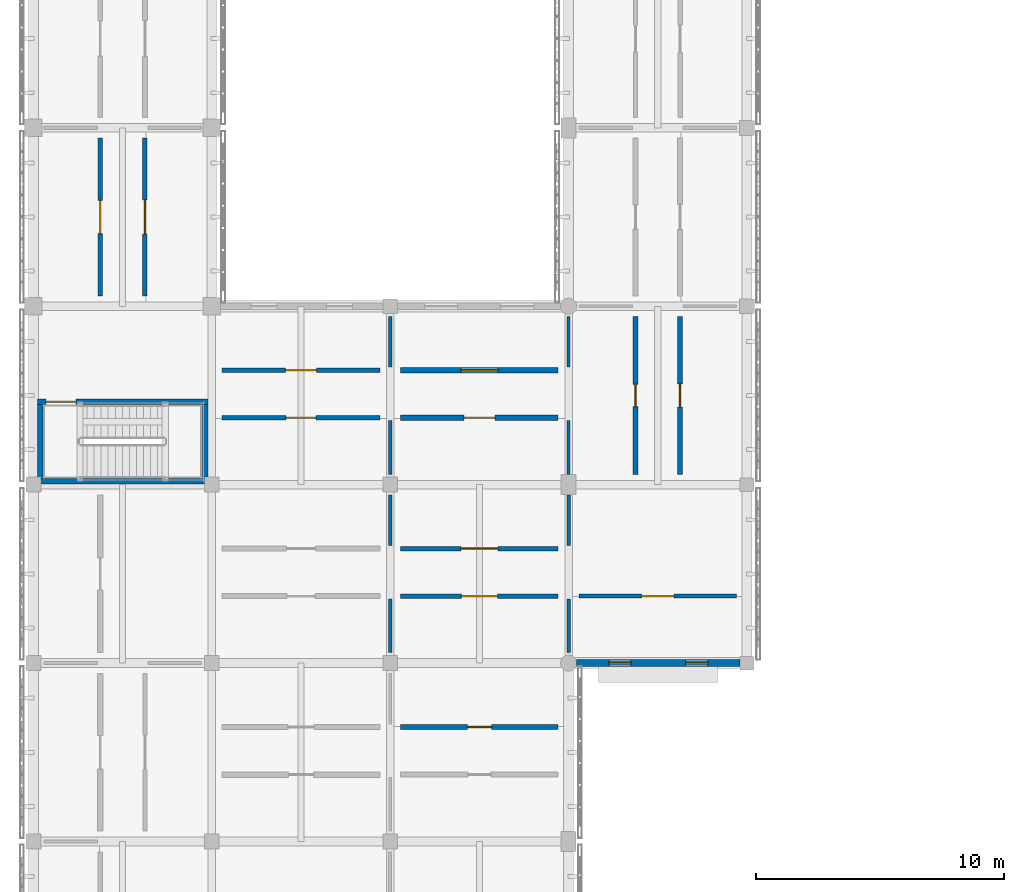
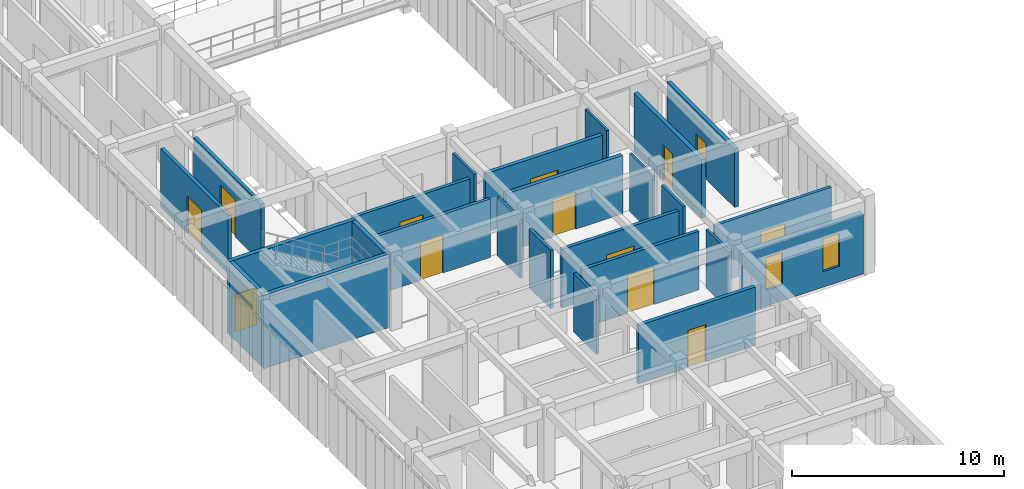
# One storey, part 122 of 171: 25 walls, 13 doors, 2 windows, 15 openings.
"""IFC4 building model written with IfcOpenShell, lengths in metres."""

from ifc_helpers import new_model, si_unit, direction, frame, frame_2d, origin, place, context, subcontext, project, spatial, rectangle, extrude, material, layer, layer_set, type_object, element, fill, save


model = new_model("IFC4")

# Units and contexts
model_context = context("Model", 3, precision=1e-05, world=origin(), true_north=direction((0.0, 1.0)))
body_context = subcontext(model_context, "Body", "Model", "MODEL_VIEW")
ifc_project = project(units=[si_unit("LENGTHUNIT", "METRE"), si_unit("AREAUNIT", "SQUARE_METRE"), si_unit("VOLUMEUNIT", "CUBIC_METRE"), si_unit("PLANEANGLEUNIT", "RADIAN"), si_unit("MASSUNIT", "GRAM", prefix="KILO")], contexts=[model_context])

# Site, building, storey
site_placement = place(None, origin())
site = spatial("IfcSite", under=ifc_project, at=site_placement, CompositionType="ELEMENT")
building_placement = place(site_placement, origin())
building = spatial("IfcBuilding", under=site, at=building_placement, Name="Aldebral Square Health Centre", CompositionType="ELEMENT")
storey_placement = place(building_placement, frame((0.0, 0.0, 4.5)))
storey = spatial("IfcBuildingStorey", under=building, at=storey_placement, Name="L01", CompositionType="ELEMENT", Elevation=4.5)

# Wall, openings, windows
ifc_material_1 = material(Name="Ochre mineral-rendered concrete C35/45 court wall", Category="concrete")
ifc_layer_1 = layer(ifc_material_1, 0.280029296875, Name="Ochre mineral-rendered concrete C35/45 court wall", Category="concrete")
ifc_layer_set_1 = layer_set([ifc_layer_1], Name="Ochre mineral-rendered concrete C35/45 court wall")
wall_type_1 = type_object("IfcWallType", Name="EW-OCH-280", PredefinedType="STANDARD", material=ifc_layer_set_1)
wall_1_placement = place(storey_placement, frame((21.925048828125, 50.39990234375, 0.0), z_axis=(0.0, 0.0, 1.0), x_axis=(1.0, 0.0, 0.0)))
wall_1 = element("IfcWall", 1, at=wall_1_placement, inside=storey, type_object=wall_type_1, Name="L01 V4 exterior wall L01-V4-03-07-S", PredefinedType="STANDARD", context=body_context, shape_type="SweptSolid", body=[
    extrude(rectangle(XDim=6.599853515625, YDim=0.280029296875, at=frame_2d((3.2998046875, 0.0))), origin(), (0.0, 0.0, 1.0), 3.469970703125),
])
opening_1_placement = place(wall_1_placement, frame((1.300048828125, 0.0, 0.89990234375)))
opening_1 = element("IfcOpeningElement", 2, at=opening_1_placement, cuts=wall_1, Name="Opening W46", PredefinedType="OPENING", context=body_context, shape_type="SweptSolid", body=[
    extrude(rectangle(XDim=0.89990234375, YDim=1.8798828125, at=frame_2d((0.449951171875, 0.93994140625))), frame((0.0, 0.14990234375, 0.0), z_axis=(0.0, -1.0, 0.0), x_axis=(1.0, 0.0, 0.0)), (0.0, 0.0, 1.0), 0.300048828125),
])
opening_2_placement = place(wall_1_placement, frame((4.39990234375, 0.0, 0.89990234375)))
opening_2 = element("IfcOpeningElement", 3, at=opening_2_placement, cuts=wall_1, Name="Opening W46", PredefinedType="OPENING", context=body_context, shape_type="SweptSolid", body=[
    extrude(rectangle(XDim=0.89990234375, YDim=1.8798828125, at=frame_2d((0.449951171875, 0.93994140625))), frame((0.0, 0.14990234375, 0.0), z_axis=(0.0, -1.0, 0.0), x_axis=(1.0, 0.0, 0.0)), (0.0, 0.0, 1.0), 0.300048828125),
])
ifc_material_2 = material(Name="Thermally broken aluminium and low-E glass", Category="aluminium")
window_type = type_object("IfcWindowType", Name="WIN-W46", PartitioningType="SINGLE_PANEL", PredefinedType="WINDOW", material=ifc_material_2)
window_1_placement = place(opening_1_placement, origin())
window_1 = element("IfcWindow", 4, at=window_1_placement, inside=storey, type_object=window_type, Name="L01 clinical window L01-V4-03-07-S.1", OverallHeight=1.8798828125, OverallWidth=0.89990234375, PartitioningType="SINGLE_PANEL", PredefinedType="WINDOW", context=body_context, shape_type="SweptSolid", body=[
    extrude(rectangle(XDim=0.89990234375, YDim=1.8798828125, at=frame_2d((0.449951171875, 0.93994140625))), frame((0.0, 0.030029296875, 0.0), z_axis=(0.0, -1.0, 0.0), x_axis=(1.0, 0.0, 0.0)), (0.0, 0.0, 1.0), 0.06005859375),
])
fill(opening_1, window_1)
window_2_placement = place(opening_2_placement, origin())
window_2 = element("IfcWindow", 5, at=window_2_placement, inside=storey, type_object=window_type, Name="L01 clinical window L01-V4-03-07-S.2", OverallHeight=1.8798828125, OverallWidth=0.89990234375, PartitioningType="SINGLE_PANEL", PredefinedType="WINDOW", context=body_context, shape_type="SweptSolid", body=[
    extrude(rectangle(XDim=0.89990234375, YDim=1.8798828125, at=frame_2d((0.449951171875, 0.93994140625))), frame((0.0, 0.030029296875, 0.0), z_axis=(0.0, -1.0, 0.0), x_axis=(1.0, 0.0, 0.0)), (0.0, 0.0, 1.0), 0.06005859375),
])
fill(opening_2, window_2)

# Wall, opening, door
ifc_material_3 = material(Name="Concrete C35/45 compartment wall", Category="concrete")
ifc_layer_2 = layer(ifc_material_3, 0.199951171875, Name="Concrete C35/45 compartment wall", Category="concrete")
ifc_layer_set_2 = layer_set([ifc_layer_2], Name="Concrete C35/45 compartment wall")
wall_type_2 = type_object("IfcWallType", Name="IW-CMP-200", PredefinedType="SOLIDWALL", material=ifc_layer_set_2)
wall_2_placement = place(storey_placement, frame((14.820068359375, 47.820068359375, 0.0), z_axis=(0.0, 0.0, 1.0), x_axis=(1.0, 0.0, 0.0)))
wall_2 = element("IfcWall", 6, at=wall_2_placement, inside=storey, type_object=wall_type_2, Name="L01 Nutrition Studio 3.7N corridor wall", PredefinedType="SOLIDWALL", context=body_context, shape_type="SweptSolid", body=[
    extrude(rectangle(XDim=6.35986328125, YDim=0.199951171875, at=frame_2d((3.179931640625, 0.0))), origin(), (0.0, 0.0, 1.0), 3.360107421875),
])
opening_3_placement = place(wall_2_placement, frame((2.68994140625, 0.0, 0.0)))
opening_3 = element("IfcOpeningElement", 7, at=opening_3_placement, cuts=wall_2, Name="Opening D-0394", PredefinedType="OPENING", context=body_context, shape_type="SweptSolid", body=[
    extrude(rectangle(XDim=0.97998046875, YDim=2.139892578125, at=frame_2d((0.489990234375, 1.06982421875))), frame((0.0, 0.10986328125, 0.0), z_axis=(0.0, -1.0, 0.0), x_axis=(1.0, 0.0, 0.0)), (0.0, 0.0, 1.0), 0.219970703125),
])
ifc_material_4 = material(Name="Clinical suite fire door")
door_type_1 = type_object("IfcDoorType", Name="ID-EXD-34", OperationType="NOTDEFINED", PredefinedType="DOOR", material=ifc_material_4)
door_1_placement = place(opening_3_placement, origin())
door_1 = element("IfcDoor", 8, at=door_1_placement, inside=storey, type_object=door_type_1, Name="L01 Nutrition Studio 3.7N door", OperationType="SINGLE_SWING_LEFT", OverallHeight=2.139892578125, OverallWidth=0.97998046875, PredefinedType="DOOR", context=body_context, shape_type="SweptSolid", body=[
    extrude(rectangle(XDim=0.97998046875, YDim=2.139892578125, at=frame_2d((0.489990234375, 1.06982421875))), frame((0.0, 0.02490234375, 0.0), z_axis=(0.0, -1.0, 0.0), x_axis=(1.0, 0.0, 0.0)), (0.0, 0.0, 1.0), 0.050048828125),
])
fill(opening_3, door_1)

ifc_layer_3 = layer(ifc_material_3, 0.219970703125, Name="Concrete C35/45 compartment wall", Category="concrete")
ifc_layer_set_3 = layer_set([ifc_layer_3], Name="Concrete C35/45 compartment wall")
wall_type_3 = type_object("IfcWallType", Name="IW-CMP-220", PredefinedType="SOLIDWALL", material=ifc_layer_set_3)
wall_3_placement = place(storey_placement, frame((24.300048828125, 58.02001953125, 0.0), z_axis=(0.0, 0.0, 1.0), x_axis=(0.0, 1.0, 0.0)))
wall_3 = element("IfcWall", 9, at=wall_3_placement, inside=storey, type_object=wall_type_3, Name="L01 Outpatient Treatment Room 4.9W corridor wall", PredefinedType="SOLIDWALL", context=body_context, shape_type="SweptSolid", body=[
    extrude(rectangle(XDim=6.35986328125, YDim=0.219970703125, at=frame_2d((3.179931640625, 0.0))), origin(), (0.0, 0.0, 1.0), 3.360107421875),
])
opening_4_placement = place(wall_3_placement, frame((2.72998046875, 0.0, 0.0)))
opening_4 = element("IfcOpeningElement", 10, at=opening_4_placement, cuts=wall_3, Name="Opening D-0291", PredefinedType="OPENING", context=body_context, shape_type="SweptSolid", body=[
    extrude(rectangle(XDim=0.89990234375, YDim=2.0400390625, at=frame_2d((0.449951171875, 1.02001953125))), frame((0.0, 0.1201171875, 0.0), z_axis=(0.0, -1.0, 0.0), x_axis=(1.0, 0.0, 0.0)), (0.0, 0.0, 1.0), 0.239990234375),
])
door_type_2 = type_object("IfcDoorType", Name="ID-EXD-00", OperationType="NOTDEFINED", PredefinedType="DOOR", material=ifc_material_4)
door_2_placement = place(opening_4_placement, origin())
door_2 = element("IfcDoor", 11, at=door_2_placement, inside=storey, type_object=door_type_2, Name="L01 Outpatient Treatment Room 4.9W door", OperationType="SINGLE_SWING_RIGHT", OverallHeight=2.0400390625, OverallWidth=0.89990234375, PredefinedType="DOOR", context=body_context, shape_type="SweptSolid", body=[
    extrude(rectangle(XDim=0.89990234375, YDim=2.0400390625, at=frame_2d((0.449951171875, 1.02001953125))), frame((0.0, 0.02490234375, 0.0), z_axis=(0.0, -1.0, 0.0), x_axis=(1.0, 0.0, 0.0)), (0.0, 0.0, 1.0), 0.050048828125),
])
fill(opening_4, door_2)

ifc_material_5 = material(Name="Fire-rated acoustic gypsum partition")
ifc_layer_4 = layer(ifc_material_5, 0.1650390625, Name="Fire-rated acoustic gypsum partition")
ifc_layer_set_4 = layer_set([ifc_layer_4], Name="Fire-rated acoustic gypsum partition")
wall_type_4 = type_object("IfcWallType", Name="IW-COR-165", PredefinedType="PARTITIONING", material=ifc_layer_set_4)
wall_4_placement = place(storey_placement, frame((22.02001953125, 53.10009765625, 0.0), z_axis=(0.0, 0.0, 1.0), x_axis=(1.0, 0.0, 0.0)))
wall_4 = element("IfcWall", 12, at=wall_4_placement, inside=storey, type_object=wall_type_4, Name="L01 Diabetic Foot Care Room 4.8S corridor wall", PredefinedType="PARTITIONING", context=body_context, shape_type="SweptSolid", body=[
    extrude(rectangle(XDim=6.35986328125, YDim=0.1650390625, at=frame_2d((3.179931640625, 0.0))), origin(), (0.0, 0.0, 1.0), 3.360107421875),
])
opening_5_placement = place(wall_4_placement, frame((2.530029296875, 0.0, 0.0)))
opening_5 = element("IfcOpeningElement", 13, at=opening_5_placement, cuts=wall_4, Name="Opening D-0290", PredefinedType="OPENING", context=body_context, shape_type="SweptSolid", body=[
    extrude(rectangle(XDim=1.300048828125, YDim=2.14990234375, at=frame_2d((0.64990234375, 1.074951171875))), frame((0.0, 0.092529296875, 0.0), z_axis=(0.0, -1.0, 0.0), x_axis=(1.0, 0.0, 0.0)), (0.0, 0.0, 1.0), 0.18505859375),
])
ifc_material_6 = material(Name="Radiography shielded fire door")
door_type_3 = type_object("IfcDoorType", Name="ID-IM-130", OperationType="NOTDEFINED", PredefinedType="DOOR", material=ifc_material_6)
door_3_placement = place(opening_5_placement, origin())
door_3 = element("IfcDoor", 14, at=door_3_placement, inside=storey, type_object=door_type_3, Name="L01 Diabetic Foot Care Room 4.8S door", OperationType="SINGLE_SWING_LEFT", OverallHeight=2.14990234375, OverallWidth=1.300048828125, PredefinedType="DOOR", context=body_context, shape_type="SweptSolid", body=[
    extrude(rectangle(XDim=1.300048828125, YDim=2.14990234375, at=frame_2d((0.64990234375, 1.074951171875))), frame((0.0, 0.02490234375, 0.0), z_axis=(0.0, -1.0, 0.0), x_axis=(1.0, 0.0, 0.0)), (0.0, 0.0, 1.0), 0.050048828125),
])
fill(opening_5, door_3)

ifc_layer_5 = layer(ifc_material_5, 0.179931640625, Name="Fire-rated acoustic gypsum partition")
ifc_layer_set_5 = layer_set([ifc_layer_5], Name="Fire-rated acoustic gypsum partition")
wall_type_5 = type_object("IfcWallType", Name="IW-COR-180", PredefinedType="PARTITIONING", material=ifc_layer_set_5)
wall_5_placement = place(storey_placement, frame((2.699951171875, 65.219970703125, 0.0), z_axis=(0.0, 0.0, 1.0), x_axis=(0.0, 1.0, 0.0)))
wall_5 = element("IfcWall", 15, at=wall_5_placement, inside=storey, type_object=wall_type_5, Name="L01 Internal Medicine Clinic 1.10W corridor wall", PredefinedType="PARTITIONING", context=body_context, shape_type="SweptSolid", body=[
    extrude(rectangle(XDim=6.360107421875, YDim=0.179931640625, at=frame_2d((3.18017578125, 0.0))), origin(), (0.0, 0.0, 1.0), 3.360107421875),
])
opening_6_placement = place(wall_5_placement, frame((2.510009765625, 0.0, 0.0)))
opening_6 = element("IfcOpeningElement", 16, at=opening_6_placement, cuts=wall_5, Name="Opening D-0265", PredefinedType="OPENING", context=body_context, shape_type="SweptSolid", body=[
    extrude(rectangle(XDim=1.340087890625, YDim=2.139892578125, at=frame_2d((0.669921875, 1.06982421875))), frame((0.0, 0.10009765625, 0.0), z_axis=(0.0, -1.0, 0.0), x_axis=(1.0, 0.0, 0.0)), (0.0, 0.0, 1.0), 0.199951171875),
])
door_type_4 = type_object("IfcDoorType", Name="ID-EXD-43", OperationType="NOTDEFINED", PredefinedType="DOOR", material=ifc_material_4)
door_4_placement = place(opening_6_placement, origin())
door_4 = element("IfcDoor", 17, at=door_4_placement, inside=storey, type_object=door_type_4, Name="L01 Internal Medicine Clinic 1.10W door", OperationType="SINGLE_SWING_RIGHT", OverallHeight=2.139892578125, OverallWidth=1.340087890625, PredefinedType="DOOR", context=body_context, shape_type="SweptSolid", body=[
    extrude(rectangle(XDim=1.340087890625, YDim=2.139892578125, at=frame_2d((0.669921875, 1.06982421875))), frame((0.0, 0.02490234375, 0.0), z_axis=(0.0, -1.0, 0.0), x_axis=(1.0, 0.0, 0.0)), (0.0, 0.0, 1.0), 0.050048828125),
])
fill(opening_6, door_4)

wall_6_placement = place(storey_placement, frame((4.5, 65.219970703125, 0.0), z_axis=(0.0, 0.0, 1.0), x_axis=(0.0, 1.0, 0.0)))
wall_6 = element("IfcWall", 18, at=wall_6_placement, inside=storey, type_object=wall_type_5, Name="L01 Diabetic Foot Care Room 1.10E corridor wall", PredefinedType="PARTITIONING", context=body_context, shape_type="SweptSolid", body=[
    extrude(rectangle(XDim=6.360107421875, YDim=0.179931640625, at=frame_2d((3.18017578125, 0.0))), origin(), (0.0, 0.0, 1.0), 3.360107421875),
])
opening_7_placement = place(wall_6_placement, frame((2.489990234375, 0.0, 0.0)))
opening_7 = element("IfcOpeningElement", 19, at=opening_7_placement, cuts=wall_6, Name="Opening D-0266", PredefinedType="OPENING", context=body_context, shape_type="SweptSolid", body=[
    extrude(rectangle(XDim=1.3798828125, YDim=2.139892578125, at=frame_2d((0.68994140625, 1.06982421875))), frame((0.0, 0.10009765625, 0.0), z_axis=(0.0, -1.0, 0.0), x_axis=(1.0, 0.0, 0.0)), (0.0, 0.0, 1.0), 0.199951171875),
])
door_type_5 = type_object("IfcDoorType", Name="ID-EXD-44", OperationType="NOTDEFINED", PredefinedType="DOOR", material=ifc_material_4)
door_5_placement = place(opening_7_placement, origin())
door_5 = element("IfcDoor", 20, at=door_5_placement, inside=storey, type_object=door_type_5, Name="L01 Diabetic Foot Care Room 1.10E door", OperationType="SINGLE_SWING_LEFT", OverallHeight=2.139892578125, OverallWidth=1.3798828125, PredefinedType="DOOR", context=body_context, shape_type="SweptSolid", body=[
    extrude(rectangle(XDim=1.3798828125, YDim=2.139892578125, at=frame_2d((0.68994140625, 1.06982421875))), frame((0.0, 0.02490234375, 0.0), z_axis=(0.0, -1.0, 0.0), x_axis=(1.0, 0.0, 0.0)), (0.0, 0.0, 1.0), 0.050048828125),
])
fill(opening_7, door_5)

wall_7_placement = place(storey_placement, frame((7.6201171875, 60.300048828125, 0.0), z_axis=(0.0, 0.0, 1.0), x_axis=(1.0, 0.0, 0.0)))
wall_7 = element("IfcWall", 21, at=wall_7_placement, inside=storey, type_object=wall_type_5, Name="L01 Diabetic Foot Care Room 2.9S corridor wall", PredefinedType="PARTITIONING", context=body_context, shape_type="SweptSolid", body=[
    extrude(rectangle(XDim=6.35986328125, YDim=0.179931640625, at=frame_2d((3.179931640625, 0.0))), origin(), (0.0, 0.0, 1.0), 3.360107421875),
])
opening_8_placement = place(wall_7_placement, frame((2.570068359375, 0.0, 0.0)))
opening_8 = element("IfcOpeningElement", 22, at=opening_8_placement, cuts=wall_7, Name="Opening D-0278", PredefinedType="OPENING", context=body_context, shape_type="SweptSolid", body=[
    extrude(rectangle(XDim=1.219970703125, YDim=2.18994140625, at=frame_2d((0.60986328125, 1.094970703125))), frame((0.0, 0.10009765625, 0.0), z_axis=(0.0, -1.0, 0.0), x_axis=(1.0, 0.0, 0.0)), (0.0, 0.0, 1.0), 0.199951171875),
])
door_type_6 = type_object("IfcDoorType", Name="ID-EXD-56", OperationType="NOTDEFINED", PredefinedType="DOOR", material=ifc_material_4)
door_6_placement = place(opening_8_placement, origin())
door_6 = element("IfcDoor", 23, at=door_6_placement, inside=storey, type_object=door_type_6, Name="L01 Diabetic Foot Care Room 2.9S door", OperationType="SINGLE_SWING_LEFT", OverallHeight=2.18994140625, OverallWidth=1.219970703125, PredefinedType="DOOR", context=body_context, shape_type="SweptSolid", body=[
    extrude(rectangle(XDim=1.219970703125, YDim=2.18994140625, at=frame_2d((0.60986328125, 1.094970703125))), frame((0.0, 0.02490234375, 0.0), z_axis=(0.0, -1.0, 0.0), x_axis=(1.0, 0.0, 0.0)), (0.0, 0.0, 1.0), 0.050048828125),
])
fill(opening_8, door_6)

wall_8_placement = place(storey_placement, frame((7.6201171875, 62.219970703125, 0.0), z_axis=(0.0, 0.0, 1.0), x_axis=(1.0, 0.0, 0.0)))
wall_8 = element("IfcWall", 24, at=wall_8_placement, inside=storey, type_object=wall_type_5, Name="L01 Outpatient Treatment Room 2.9N corridor wall", PredefinedType="PARTITIONING", context=body_context, shape_type="SweptSolid", body=[
    extrude(rectangle(XDim=6.35986328125, YDim=0.179931640625, at=frame_2d((3.179931640625, 0.0))), origin(), (0.0, 0.0, 1.0), 3.360107421875),
])
opening_9_placement = place(wall_8_placement, frame((2.550048828125, 0.0, 0.0)))
opening_9 = element("IfcOpeningElement", 25, at=opening_9_placement, cuts=wall_8, Name="Opening D-0279", PredefinedType="OPENING", context=body_context, shape_type="SweptSolid", body=[
    extrude(rectangle(XDim=1.260009765625, YDim=2.18994140625, at=frame_2d((0.6298828125, 1.094970703125))), frame((0.0, 0.10009765625, 0.0), z_axis=(0.0, -1.0, 0.0), x_axis=(1.0, 0.0, 0.0)), (0.0, 0.0, 1.0), 0.199951171875),
])
door_type_7 = type_object("IfcDoorType", Name="ID-EXD-57", OperationType="NOTDEFINED", PredefinedType="DOOR", material=ifc_material_4)
door_7_placement = place(opening_9_placement, origin())
door_7 = element("IfcDoor", 26, at=door_7_placement, inside=storey, type_object=door_type_7, Name="L01 Outpatient Treatment Room 2.9N door", OperationType="SINGLE_SWING_RIGHT", OverallHeight=2.18994140625, OverallWidth=1.260009765625, PredefinedType="DOOR", context=body_context, shape_type="SweptSolid", body=[
    extrude(rectangle(XDim=1.260009765625, YDim=2.18994140625, at=frame_2d((0.6298828125, 1.094970703125))), frame((0.0, 0.02490234375, 0.0), z_axis=(0.0, -1.0, 0.0), x_axis=(1.0, 0.0, 0.0)), (0.0, 0.0, 1.0), 0.050048828125),
])
fill(opening_9, door_7)

wall_9_placement = place(storey_placement, frame((14.820068359375, 53.10009765625, 0.0), z_axis=(0.0, 0.0, 1.0), x_axis=(1.0, 0.0, 0.0)))
wall_9 = element("IfcWall", 27, at=wall_9_placement, inside=storey, type_object=wall_type_5, Name="L01 Diabetic Foot Care Room 3.8S corridor wall", PredefinedType="PARTITIONING", context=body_context, shape_type="SweptSolid", body=[
    extrude(rectangle(XDim=6.35986328125, YDim=0.179931640625, at=frame_2d((3.179931640625, 0.0))), origin(), (0.0, 0.0, 1.0), 3.360107421875),
])
opening_10_placement = place(wall_9_placement, frame((2.449951171875, 0.0, 0.0)))
opening_10 = element("IfcOpeningElement", 28, at=opening_10_placement, cuts=wall_9, Name="Opening D-0284", PredefinedType="OPENING", context=body_context, shape_type="SweptSolid", body=[
    extrude(rectangle(XDim=1.4599609375, YDim=2.18994140625, at=frame_2d((0.72998046875, 1.094970703125))), frame((0.0, 0.10009765625, 0.0), z_axis=(0.0, -1.0, 0.0), x_axis=(1.0, 0.0, 0.0)), (0.0, 0.0, 1.0), 0.199951171875),
])
door_type_8 = type_object("IfcDoorType", Name="ID-EXD-62", OperationType="NOTDEFINED", PredefinedType="DOOR", material=ifc_material_4)
door_8_placement = place(opening_10_placement, origin())
door_8 = element("IfcDoor", 29, at=door_8_placement, inside=storey, type_object=door_type_8, Name="L01 Diabetic Foot Care Room 3.8S door", OperationType="SINGLE_SWING_LEFT", OverallHeight=2.18994140625, OverallWidth=1.4599609375, PredefinedType="DOOR", context=body_context, shape_type="SweptSolid", body=[
    extrude(rectangle(XDim=1.4599609375, YDim=2.18994140625, at=frame_2d((0.72998046875, 1.094970703125))), frame((0.0, 0.02490234375, 0.0), z_axis=(0.0, -1.0, 0.0), x_axis=(1.0, 0.0, 0.0)), (0.0, 0.0, 1.0), 0.050048828125),
])
fill(opening_10, door_8)

wall_10_placement = place(storey_placement, frame((14.820068359375, 55.02001953125, 0.0), z_axis=(0.0, 0.0, 1.0), x_axis=(1.0, 0.0, 0.0)))
wall_10 = element("IfcWall", 30, at=wall_10_placement, inside=storey, type_object=wall_type_5, Name="L01 Outpatient Treatment Room 3.8N corridor wall", PredefinedType="PARTITIONING", context=body_context, shape_type="SweptSolid", body=[
    extrude(rectangle(XDim=6.35986328125, YDim=0.179931640625, at=frame_2d((3.179931640625, 0.0))), origin(), (0.0, 0.0, 1.0), 3.360107421875),
])
opening_11_placement = place(wall_10_placement, frame((2.429931640625, 0.0, 0.0)))
opening_11 = element("IfcOpeningElement", 31, at=opening_11_placement, cuts=wall_10, Name="Opening D-0285", PredefinedType="OPENING", context=body_context, shape_type="SweptSolid", body=[
    extrude(rectangle(XDim=1.5, YDim=2.18994140625, at=frame_2d((0.75, 1.094970703125))), frame((0.0, 0.10009765625, 0.0), z_axis=(0.0, -1.0, 0.0), x_axis=(1.0, 0.0, 0.0)), (0.0, 0.0, 1.0), 0.199951171875),
])
door_type_9 = type_object("IfcDoorType", Name="ID-EXD-63", OperationType="NOTDEFINED", PredefinedType="DOOR", material=ifc_material_4)
door_9_placement = place(opening_11_placement, origin())
door_9 = element("IfcDoor", 32, at=door_9_placement, inside=storey, type_object=door_type_9, Name="L01 Outpatient Treatment Room 3.8N door", OperationType="SINGLE_SWING_RIGHT", OverallHeight=2.18994140625, OverallWidth=1.5, PredefinedType="DOOR", context=body_context, shape_type="SweptSolid", body=[
    extrude(rectangle(XDim=1.5, YDim=2.18994140625, at=frame_2d((0.75, 1.094970703125))), frame((0.0, 0.02490234375, 0.0), z_axis=(0.0, -1.0, 0.0), x_axis=(1.0, 0.0, 0.0)), (0.0, 0.0, 1.0), 0.050048828125),
])
fill(opening_11, door_9)

# Wall
ifc_material_7 = material(Name="Concrete C40/50", Category="concrete")
ifc_layer_6 = layer(ifc_material_7, 0.219970703125, Name="Concrete C40/50", Category="concrete")
ifc_layer_set_6 = layer_set([ifc_layer_6], Name="Concrete C40/50")
wall_type_6 = type_object("IfcWallType", Name="IW-CORE-280", PredefinedType="SHEAR", material=ifc_layer_set_6)
wall_11_placement = place(storey_placement, frame((0.159912109375, 57.72998046875, 0.0), z_axis=(0.0, 0.0, 1.0), x_axis=(1.0, 0.0, 0.0)))
element("IfcWall", 33, at=wall_11_placement, inside=storey, type_object=wall_type_6, Name="L01 WS-S11 shaft wall S", PredefinedType="SHEAR", context=body_context, shape_type="SweptSolid", body=[
    extrude(rectangle(XDim=6.880126953125, YDim=0.219970703125, at=frame_2d((3.43994140625, 0.0))), origin(), (0.0, 0.0, 1.0), 4.219970703125),
])

# Wall, opening, door
wall_12_placement = place(storey_placement, frame((0.159912109375, 60.949951171875, 0.0), z_axis=(0.0, 0.0, 1.0), x_axis=(1.0, 0.0, 0.0)))
wall_12 = element("IfcWall", 34, at=wall_12_placement, inside=storey, type_object=wall_type_6, Name="L01 WS-S11 shaft wall N", PredefinedType="SHEAR", context=body_context, shape_type="SweptSolid", body=[
    extrude(rectangle(XDim=6.880126953125, YDim=0.219970703125, at=frame_2d((3.43994140625, 0.0))), origin(), (0.0, 0.0, 1.0), 4.219970703125),
])
opening_12_placement = place(wall_12_placement, frame((0.35009765625, 0.0, 0.0)))
opening_12 = element("IfcOpeningElement", 35, at=opening_12_placement, cuts=wall_12, Name="Opening D-0078", PredefinedType="OPENING", context=body_context, shape_type="SweptSolid", body=[
    extrude(rectangle(XDim=1.199951171875, YDim=2.14990234375, at=frame_2d((0.60009765625, 1.074951171875))), frame((0.0, 0.1201171875, 0.0), z_axis=(0.0, -1.0, 0.0), x_axis=(1.0, 0.0, 0.0)), (0.0, 0.0, 1.0), 0.239990234375),
])
ifc_material_8 = material(Name="Fire-rated steel stair door", Category="steel")
door_type_10 = type_object("IfcDoorType", Name="ID-ST-120", OperationType="NOTDEFINED", PredefinedType="DOOR", material=ifc_material_8)
door_10_placement = place(opening_12_placement, origin())
door_10 = element("IfcDoor", 36, at=door_10_placement, inside=storey, type_object=door_type_10, Name="L01 ST-11 fire door", OperationType="SINGLE_SWING_RIGHT", OverallHeight=2.14990234375, OverallWidth=1.199951171875, PredefinedType="DOOR", context=body_context, shape_type="SweptSolid", body=[
    extrude(rectangle(XDim=1.199951171875, YDim=2.14990234375, at=frame_2d((0.60009765625, 1.074951171875))), frame((0.0, 0.02490234375, 0.0), z_axis=(0.0, -1.0, 0.0), x_axis=(1.0, 0.0, 0.0)), (0.0, 0.0, 1.0), 0.050048828125),
])
fill(opening_12, door_10)

# Walls
for number, where, z_axis, x_axis, name in (
    (37, (0.27001953125, 57.840087890625, 0.0), (0.0, 0.0, 1.0), (0.0, 1.0, 0.0), "L01 WS-S11 shaft wall W"),
    (38, (6.929931640625, 57.840087890625, 0.0), (0.0, 0.0, 1.0), (0.0, 1.0, 0.0), "L01 WS-S11 shaft wall E"),
):
    element("IfcWall", number, at=place(storey_placement, frame(where, z_axis=z_axis, x_axis=x_axis)), inside=storey, type_object=wall_type_6, Name=name, PredefinedType="SHEAR", context=body_context, shape_type="SweptSolid", body=[
        extrude(rectangle(XDim=3.0, YDim=0.219970703125, at=frame_2d((1.5, 0.0))), origin(), (0.0, 0.0, 1.0), 4.219970703125),
    ])

# Wall, opening, door
ifc_material_9 = material(Name="Moisture-resistant sanitary chase wall")
ifc_layer_7 = layer(ifc_material_9, 0.2099609375, Name="Moisture-resistant sanitary chase wall")
ifc_layer_set_7 = layer_set([ifc_layer_7], Name="Moisture-resistant sanitary chase wall")
wall_type_7 = type_object("IfcWallType", Name="IW-PLB-210", PredefinedType="PLUMBINGWALL", material=ifc_layer_set_7)
wall_13_placement = place(storey_placement, frame((14.820068359375, 60.300048828125, 0.0), z_axis=(0.0, 0.0, 1.0), x_axis=(1.0, 0.0, 0.0)))
wall_13 = element("IfcWall", 39, at=wall_13_placement, inside=storey, type_object=wall_type_7, Name="L01 Accessible WC 3.9S corridor wall", PredefinedType="PLUMBINGWALL", context=body_context, shape_type="SweptSolid", body=[
    extrude(rectangle(XDim=6.35986328125, YDim=0.2099609375, at=frame_2d((3.179931640625, 0.0))), origin(), (0.0, 0.0, 1.0), 3.360107421875),
])
opening_13_placement = place(wall_13_placement, frame((2.554931640625, 0.0, 0.0)))
opening_13 = element("IfcOpeningElement", 40, at=opening_13_placement, cuts=wall_13, Name="Opening D-0286", PredefinedType="OPENING", context=body_context, shape_type="SweptSolid", body=[
    extrude(rectangle(XDim=1.25, YDim=2.14990234375, at=frame_2d((0.625, 1.074951171875))), frame((0.0, 0.114990234375, 0.0), z_axis=(0.0, -1.0, 0.0), x_axis=(1.0, 0.0, 0.0)), (0.0, 0.0, 1.0), 0.22998046875),
])
ifc_material_10 = material(Name="Stainless steel surgical lift landing door", Category="steel")
door_type_11 = type_object("IfcDoorType", Name="ID-LD-125", OperationType="SLIDING_TO_LEFT", PredefinedType="DOOR", material=ifc_material_10)
door_11_placement = place(opening_13_placement, origin())
door_11 = element("IfcDoor", 41, at=door_11_placement, inside=storey, type_object=door_type_11, Name="L01 Accessible WC 3.9S door", OperationType="SINGLE_SWING_LEFT", OverallHeight=2.14990234375, OverallWidth=1.25, PredefinedType="DOOR", context=body_context, shape_type="SweptSolid", body=[
    extrude(rectangle(XDim=1.25, YDim=2.14990234375, at=frame_2d((0.625, 1.074951171875))), frame((0.0, 0.02490234375, 0.0), z_axis=(0.0, -1.0, 0.0), x_axis=(1.0, 0.0, 0.0)), (0.0, 0.0, 1.0), 0.050048828125),
])
fill(opening_13, door_11)

wall_14_placement = place(storey_placement, frame((14.820068359375, 62.219970703125, 0.0), z_axis=(0.0, 0.0, 1.0), x_axis=(1.0, 0.0, 0.0)))
wall_14 = element("IfcWall", 42, at=wall_14_placement, inside=storey, type_object=wall_type_7, Name="L01 Staff Toilet 3.9N corridor wall", PredefinedType="PLUMBINGWALL", context=body_context, shape_type="SweptSolid", body=[
    extrude(rectangle(XDim=6.35986328125, YDim=0.2099609375, at=frame_2d((3.179931640625, 0.0))), origin(), (0.0, 0.0, 1.0), 3.360107421875),
])
opening_14_placement = place(wall_14_placement, frame((2.429931640625, 0.0, 0.0)))
opening_14 = element("IfcOpeningElement", 43, at=opening_14_placement, cuts=wall_14, Name="Opening D-0287", PredefinedType="OPENING", context=body_context, shape_type="SweptSolid", body=[
    extrude(rectangle(XDim=1.5, YDim=2.199951171875, at=frame_2d((0.75, 1.10009765625))), frame((0.0, 0.114990234375, 0.0), z_axis=(0.0, -1.0, 0.0), x_axis=(1.0, 0.0, 0.0)), (0.0, 0.0, 1.0), 0.22998046875),
])
ifc_material_11 = material(Name="Surgical suite double-leaf fire door")
door_type_12 = type_object("IfcDoorType", Name="ID-OR-150", OperationType="NOTDEFINED", PredefinedType="DOOR", material=ifc_material_11)
door_12_placement = place(opening_14_placement, origin())
door_12 = element("IfcDoor", 44, at=door_12_placement, inside=storey, type_object=door_type_12, Name="L01 Staff Toilet 3.9N door", OperationType="SINGLE_SWING_RIGHT", OverallHeight=2.199951171875, OverallWidth=1.5, PredefinedType="DOOR", context=body_context, shape_type="SweptSolid", body=[
    extrude(rectangle(XDim=1.5, YDim=2.199951171875, at=frame_2d((0.75, 1.10009765625))), frame((0.0, 0.02490234375, 0.0), z_axis=(0.0, -1.0, 0.0), x_axis=(1.0, 0.0, 0.0)), (0.0, 0.0, 1.0), 0.050048828125),
])
fill(opening_14, door_12)

wall_15_placement = place(storey_placement, frame((26.10009765625, 58.02001953125, 0.0), z_axis=(0.0, 0.0, 1.0), x_axis=(0.0, 1.0, 0.0)))
wall_15 = element("IfcWall", 45, at=wall_15_placement, inside=storey, type_object=wall_type_7, Name="L01 Accessible WC 4.9E corridor wall", PredefinedType="PLUMBINGWALL", context=body_context, shape_type="SweptSolid", body=[
    extrude(rectangle(XDim=6.35986328125, YDim=0.2099609375, at=frame_2d((3.179931640625, 0.0))), origin(), (0.0, 0.0, 1.0), 3.360107421875),
])
opening_15_placement = place(wall_15_placement, frame((2.7099609375, 0.0, 0.0)))
opening_15 = element("IfcOpeningElement", 46, at=opening_15_placement, cuts=wall_15, Name="Opening D-0292", PredefinedType="OPENING", context=body_context, shape_type="SweptSolid", body=[
    extrude(rectangle(XDim=0.93994140625, YDim=2.0400390625, at=frame_2d((0.469970703125, 1.02001953125))), frame((0.0, 0.114990234375, 0.0), z_axis=(0.0, -1.0, 0.0), x_axis=(1.0, 0.0, 0.0)), (0.0, 0.0, 1.0), 0.22998046875),
])
door_type_13 = type_object("IfcDoorType", Name="ID-EXD-01", OperationType="NOTDEFINED", PredefinedType="DOOR", material=ifc_material_4)
door_13_placement = place(opening_15_placement, origin())
door_13 = element("IfcDoor", 47, at=door_13_placement, inside=storey, type_object=door_type_13, Name="L01 Accessible WC 4.9E door", OperationType="SINGLE_SWING_LEFT", OverallHeight=2.0400390625, OverallWidth=0.93994140625, PredefinedType="DOOR", context=body_context, shape_type="SweptSolid", body=[
    extrude(rectangle(XDim=0.93994140625, YDim=2.0400390625, at=frame_2d((0.469970703125, 1.02001953125))), frame((0.0, 0.02490234375, 0.0), z_axis=(0.0, -1.0, 0.0), x_axis=(1.0, 0.0, 0.0)), (0.0, 0.0, 1.0), 0.050048828125),
])
fill(opening_15, door_13)

# Walls
ifc_material_12 = material(Name="Acoustic clinical gypsum partition")
ifc_layer_8 = layer(ifc_material_12, 0.1201171875, Name="Acoustic clinical gypsum partition")
ifc_layer_set_8 = layer_set([ifc_layer_8], Name="Acoustic clinical gypsum partition")
wall_type_8 = type_object("IfcWallType", Name="IW-PRT-120", PredefinedType="PARTITIONING", material=ifc_layer_set_8)
wall_16_placement = place(storey_placement, frame((21.60009765625, 58.02001953125, 0.0), z_axis=(0.0, 0.0, 1.0), x_axis=(0.0, 1.0, 0.0)))
element("IfcWall", 48, at=wall_16_placement, inside=storey, type_object=wall_type_8, Name="L01 Accessible WC 3.9S demising partition", PredefinedType="PARTITIONING", context=body_context, shape_type="SweptSolid", body=[
    extrude(rectangle(XDim=2.159912109375, YDim=0.1201171875, at=frame_2d((1.080078125, 0.0))), origin(), (0.0, 0.0, 1.0), 3.360107421875),
])
wall_17_placement = place(storey_placement, frame((21.60009765625, 62.340087890625, 0.0), z_axis=(0.0, 0.0, 1.0), x_axis=(0.0, 1.0, 0.0)))
element("IfcWall", 49, at=wall_17_placement, inside=storey, type_object=wall_type_8, Name="L01 Staff Toilet 3.9N demising partition", PredefinedType="PARTITIONING", context=body_context, shape_type="SweptSolid", body=[
    extrude(rectangle(XDim=2.039794921875, YDim=0.1201171875, at=frame_2d((1.02001953125, 0.0))), origin(), (0.0, 0.0, 1.0), 3.360107421875),
])
ifc_layer_9 = layer(ifc_material_12, 0.135009765625, Name="Acoustic clinical gypsum partition")
ifc_layer_set_9 = layer_set([ifc_layer_9], Name="Acoustic clinical gypsum partition")
wall_type_9 = type_object("IfcWallType", Name="IW-PRT-135", PredefinedType="PARTITIONING", material=ifc_layer_set_9)
wall_18_placement = place(storey_placement, frame((14.39990234375, 58.02001953125, 0.0), z_axis=(0.0, 0.0, 1.0), x_axis=(0.0, 1.0, 0.0)))
element("IfcWall", 50, at=wall_18_placement, inside=storey, type_object=wall_type_9, Name="L01 Diabetic Foot Care Room 2.9S demising partition", PredefinedType="PARTITIONING", context=body_context, shape_type="SweptSolid", body=[
    extrude(rectangle(XDim=2.159912109375, YDim=0.135009765625, at=frame_2d((1.080078125, 0.0))), origin(), (0.0, 0.0, 1.0), 3.360107421875),
])
wall_19_placement = place(storey_placement, frame((14.39990234375, 62.340087890625, 0.0), z_axis=(0.0, 0.0, 1.0), x_axis=(0.0, 1.0, 0.0)))
element("IfcWall", 51, at=wall_19_placement, inside=storey, type_object=wall_type_9, Name="L01 Outpatient Treatment Room 2.9N demising partition", PredefinedType="PARTITIONING", context=body_context, shape_type="SweptSolid", body=[
    extrude(rectangle(XDim=2.039794921875, YDim=0.135009765625, at=frame_2d((1.02001953125, 0.0))), origin(), (0.0, 0.0, 1.0), 3.360107421875),
])
wall_20_placement = place(storey_placement, frame((21.60009765625, 50.820068359375, 0.0), z_axis=(0.0, 0.0, 1.0), x_axis=(0.0, 1.0, 0.0)))
element("IfcWall", 52, at=wall_20_placement, inside=storey, type_object=wall_type_9, Name="L01 Diabetic Foot Care Room 3.8S demising partition", PredefinedType="PARTITIONING", context=body_context, shape_type="SweptSolid", body=[
    extrude(rectangle(XDim=2.159912109375, YDim=0.135009765625, at=frame_2d((1.080078125, 0.0))), origin(), (0.0, 0.0, 1.0), 3.360107421875),
])
wall_21_placement = place(storey_placement, frame((21.60009765625, 55.139892578125, 0.0), z_axis=(0.0, 0.0, 1.0), x_axis=(0.0, 1.0, 0.0)))
element("IfcWall", 53, at=wall_21_placement, inside=storey, type_object=wall_type_9, Name="L01 Outpatient Treatment Room 3.8N demising partition", PredefinedType="PARTITIONING", context=body_context, shape_type="SweptSolid", body=[
    extrude(rectangle(XDim=2.0400390625, YDim=0.135009765625, at=frame_2d((1.02001953125, 0.0))), origin(), (0.0, 0.0, 1.0), 3.360107421875),
])
ifc_layer_10 = layer(ifc_material_12, 0.14990234375, Name="Acoustic clinical gypsum partition")
ifc_layer_set_10 = layer_set([ifc_layer_10], Name="Acoustic clinical gypsum partition")
wall_type_10 = type_object("IfcWallType", Name="IW-PRT-150", PredefinedType="PARTITIONING", material=ifc_layer_set_10)
wall_22_placement = place(storey_placement, frame((14.39990234375, 50.820068359375, 0.0), z_axis=(0.0, 0.0, 1.0), x_axis=(0.0, 1.0, 0.0)))
element("IfcWall", 54, at=wall_22_placement, inside=storey, type_object=wall_type_10, Name="L01 General Consulting Room 2.8S demising partition", PredefinedType="PARTITIONING", context=body_context, shape_type="SweptSolid", body=[
    extrude(rectangle(XDim=2.159912109375, YDim=0.14990234375, at=frame_2d((1.080078125, 0.0))), origin(), (0.0, 0.0, 1.0), 3.360107421875),
])
wall_23_placement = place(storey_placement, frame((14.39990234375, 55.139892578125, 0.0), z_axis=(0.0, 0.0, 1.0), x_axis=(0.0, 1.0, 0.0)))
element("IfcWall", 55, at=wall_23_placement, inside=storey, type_object=wall_type_10, Name="L01 Internal Medicine Clinic 2.8N demising partition", PredefinedType="PARTITIONING", context=body_context, shape_type="SweptSolid", body=[
    extrude(rectangle(XDim=2.0400390625, YDim=0.14990234375, at=frame_2d((1.02001953125, 0.0))), origin(), (0.0, 0.0, 1.0), 3.360107421875),
])

save(model, "model.ifc")
